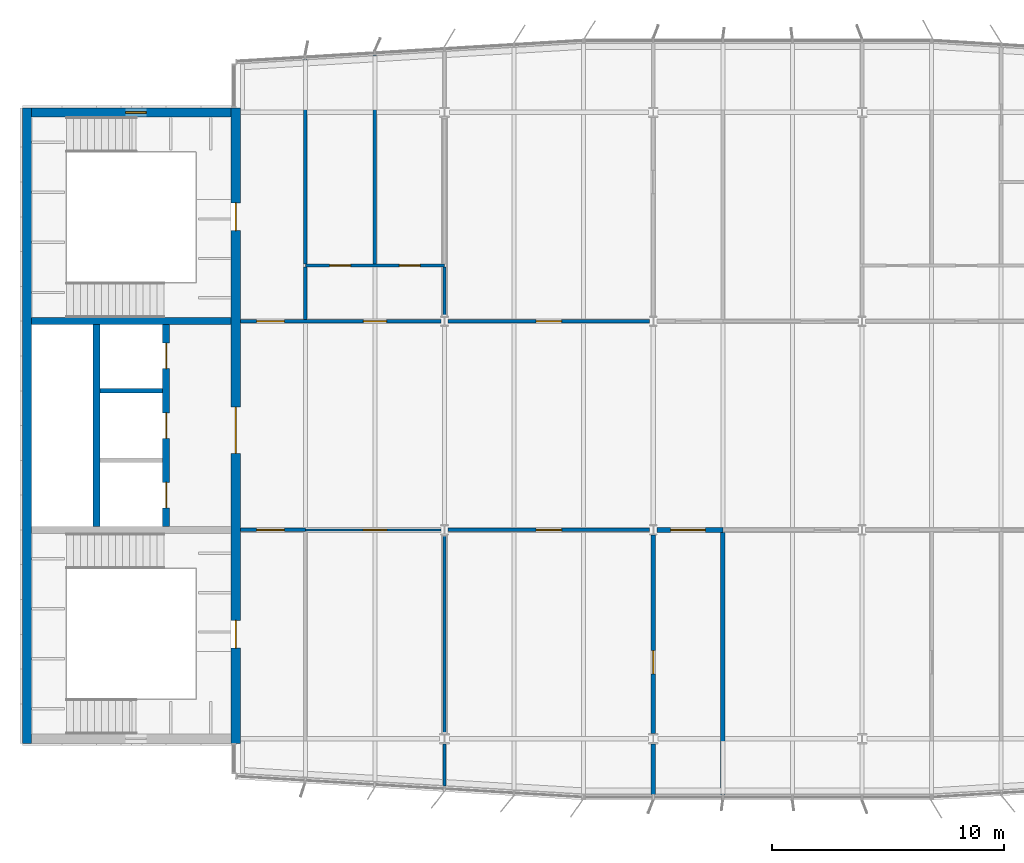
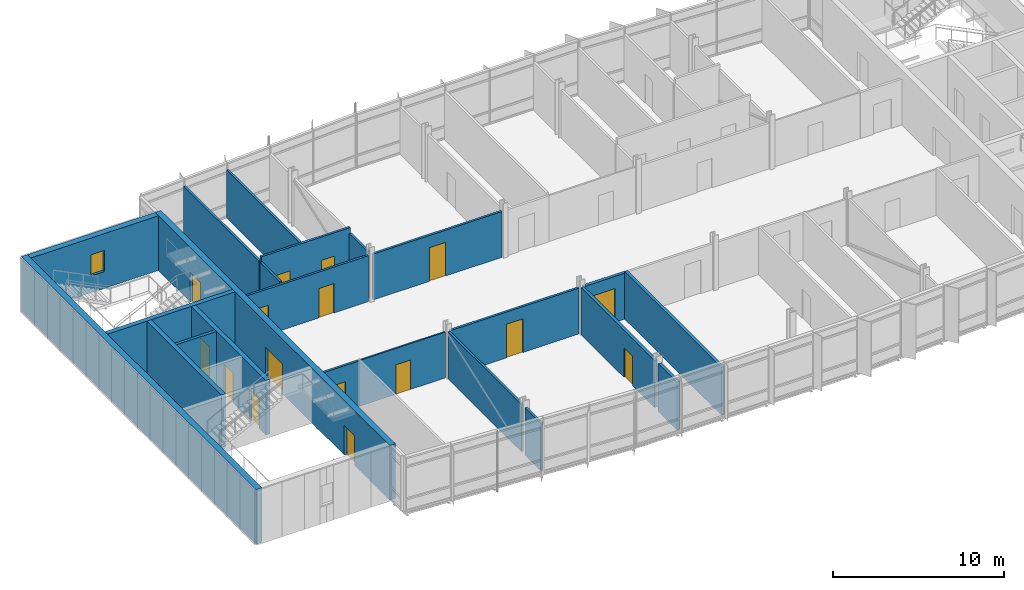
# One storey, part 12 of 18: 23 walls, 16 doors, 1 window, 17 openings.
"""IFC4 building model written with IfcOpenShell, lengths in metres."""

from ifc_helpers import new_model, si_unit, direction, frame, frame_2d, origin, place, context, subcontext, project, spatial, rectangle, extrude, material, layer, layer_set, type_object, element, fill, save


model = new_model("IFC4")

# Units and contexts
model_context = context("Model", 3, precision=1e-05, world=origin(), true_north=direction((0.0, 1.0)))
body_context = subcontext(model_context, "Body", "Model", "MODEL_VIEW")
ifc_project = project(units=[si_unit("LENGTHUNIT", "METRE"), si_unit("AREAUNIT", "SQUARE_METRE"), si_unit("VOLUMEUNIT", "CUBIC_METRE"), si_unit("PLANEANGLEUNIT", "RADIAN"), si_unit("MASSUNIT", "GRAM", prefix="KILO")], contexts=[model_context])

# Site, building, storey
site_placement = place(None, origin())
site = spatial("IfcSite", under=ifc_project, at=site_placement, CompositionType="ELEMENT")
building_placement = place(site_placement, origin())
building = spatial("IfcBuilding", under=site, at=building_placement, Name="Azimuth Sports and Learning Centre", CompositionType="ELEMENT")
storey_placement = place(building_placement, frame((0.0, 0.0, 63.60009765625)))
storey = spatial("IfcBuildingStorey", under=building, at=storey_placement, Name="L14", CompositionType="ELEMENT", Elevation=63.60009765625)

# Wall
ifc_material_1 = material(Name="Dense masonry blockwork", Category="masonry")
ifc_layer_1 = layer(ifc_material_1, 0.199951171875)
ifc_layer_set_1 = layer_set([ifc_layer_1], Name="Dense masonry blockwork")
wall_type_1 = type_object("IfcWallType", Name="Blockwork wall 200 EI 120", PredefinedType="SOLIDWALL", material=ifc_layer_set_1)
wall_1_placement = place(storey_placement, frame((57.14990234375, 105.0, 0.0), z_axis=(0.0, 0.0, 1.0), x_axis=(1.0, 0.0, 0.0)))
element("IfcWall", 1, at=wall_1_placement, inside=storey, type_object=wall_type_1, Name="SD-W-2-L14", PredefinedType="SOLIDWALL", context=body_context, shape_type="SweptSolid", body=[
    extrude(rectangle(XDim=2.7001953125, YDim=0.199951171875, at=frame_2d((1.35009765625, 0.0))), origin(), (0.0, 0.0, 1.0), 3.89990234375),
])

# Wall, opening, door
ifc_material_2 = material(Name="Gypsum board on steel studs", Category="steel")
ifc_layer_2 = layer(ifc_material_2, 0.10009765625)
ifc_layer_set_2 = layer_set([ifc_layer_2], Name="Gypsum board on steel studs")
wall_type_2 = type_object("IfcWallType", Name="Partition 100 EI 30", PredefinedType="PARTITIONING", material=ifc_layer_set_2)
wall_2_placement = place(storey_placement, frame((66.0, 99.0, 0.0), z_axis=(0.0, 0.0, 1.0), x_axis=(1.0, 0.0, 0.0)))
wall_2 = element("IfcWall", 2, at=wall_2_placement, inside=storey, type_object=wall_type_2, Name="Partition Classroom 14.07 / Learning Street", PredefinedType="PARTITIONING", context=body_context, shape_type="SweptSolid", body=[
    extrude(rectangle(XDim=5.846435546875, YDim=0.10009765625, at=frame_2d((2.92333984375, 0.0))), origin(), (0.0, 0.0, 1.0), 3.27001953125),
])
opening_1_placement = place(wall_2_placement, frame((2.5, 0.0, 0.0)))
opening_1 = element("IfcOpeningElement", 3, at=opening_1_placement, cuts=wall_2, Name="Opening D14-015", PredefinedType="OPENING", context=body_context, shape_type="SweptSolid", body=[
    extrude(rectangle(XDim=1.0, YDim=2.10009765625, at=frame_2d((0.5, 1.050048828125))), frame((0.0, 0.06103515625, 0.0), z_axis=(0.0, -1.0, 0.0), x_axis=(1.0, 0.0, 0.0)), (0.0, 0.0, 1.0), 0.1220703125),
])
ifc_material_3 = material(Name="Painted steel door set", Category="steel")
door_type_1 = type_object("IfcDoorType", Name="Fire door FD30S 1000 x 2100", OperationType="NOTDEFINED", PredefinedType="DOOR", material=ifc_material_3)
door_1_placement = place(opening_1_placement, frame((1.0, 0.0, 0.0), z_axis=(0.0, 0.0, 1.0), x_axis=(-1.0, 0.0, 0.0)))
door_1 = element("IfcDoor", 4, at=door_1_placement, inside=storey, type_object=door_type_1, Name="Door Classroom 14.07 / Learning Street", OperationType="SINGLE_SWING_LEFT", OverallHeight=2.10009765625, OverallWidth=1.0, PredefinedType="DOOR", context=body_context, shape_type="SweptSolid", body=[
    extrude(rectangle(XDim=1.0, YDim=2.10009765625, at=frame_2d((0.5, 1.050048828125))), frame((0.0, 0.02490234375, 0.0), z_axis=(0.0, -1.0, 0.0), x_axis=(1.0, 0.0, 0.0)), (0.0, 0.0, 1.0), 0.050048828125),
])
fill(opening_1, door_1)

ifc_material_4 = material(Name="Lightweight blockwork, rendered", Category="masonry")
ifc_layer_3 = layer(ifc_material_4, 0.14990234375)
ifc_layer_set_3 = layer_set([ifc_layer_3], Name="Lightweight blockwork, rendered")
wall_type_3 = type_object("IfcWallType", Name="Partition 150 EI 60", PredefinedType="PARTITIONING", material=ifc_layer_set_3)
wall_3_placement = place(storey_placement, frame((63.199951171875, 99.0, 0.0), z_axis=(0.0, 0.0, 1.0), x_axis=(1.0, 0.0, 0.0)))
wall_3 = element("IfcWall", 5, at=wall_3_placement, inside=storey, type_object=wall_type_3, Name="Partition Stair Lobby W1 14.01 / Learning Street", PredefinedType="PARTITIONING", context=body_context, shape_type="SweptSolid", body=[
    extrude(rectangle(XDim=2.800048828125, YDim=0.14990234375, at=frame_2d((1.39990234375, 0.0))), origin(), (0.0, 0.0, 1.0), 3.27001953125),
])
opening_2_placement = place(wall_3_placement, frame((0.699951171875, 0.0, 0.0)))
opening_2 = element("IfcOpeningElement", 6, at=opening_2_placement, cuts=wall_3, Name="Opening D14-011", PredefinedType="OPENING", context=body_context, shape_type="SweptSolid", body=[
    extrude(rectangle(XDim=1.199951171875, YDim=2.10009765625, at=frame_2d((0.60009765625, 1.050048828125))), frame((0.0, 0.0859375, 0.0), z_axis=(0.0, -1.0, 0.0), x_axis=(1.0, 0.0, 0.0)), (0.0, 0.0, 1.0), 0.171875),
])
ifc_material_5 = material(Name="Painted steel door set", Category="steel")
door_type_2 = type_object("IfcDoorType", Name="Fire door FD60 1200 x 2100", OperationType="NOTDEFINED", PredefinedType="DOOR", material=ifc_material_5)
door_2_placement = place(opening_2_placement, frame((1.199951171875, 0.0, 0.0), z_axis=(0.0, 0.0, 1.0), x_axis=(-1.0, 0.0, 0.0)))
door_2 = element("IfcDoor", 7, at=door_2_placement, inside=storey, type_object=door_type_2, Name="Door Stair Lobby W1 14.01 / Learning Street", OperationType="SINGLE_SWING_RIGHT", OverallHeight=2.10009765625, OverallWidth=1.199951171875, PredefinedType="DOOR", context=body_context, shape_type="SweptSolid", body=[
    extrude(rectangle(XDim=1.199951171875, YDim=2.10009765625, at=frame_2d((0.60009765625, 1.050048828125))), frame((0.0, 0.02490234375, 0.0), z_axis=(0.0, -1.0, 0.0), x_axis=(1.0, 0.0, 0.0)), (0.0, 0.0, 1.0), 0.050048828125),
])
fill(opening_2, door_2)

wall_4_placement = place(storey_placement, frame((72.153564453125, 99.0, 0.0), z_axis=(0.0, 0.0, 1.0), x_axis=(1.0, 0.0, 0.0)))
wall_4 = element("IfcWall", 8, at=wall_4_placement, inside=storey, type_object=wall_type_3, Name="Partition Chemistry Laboratory 14.08 / Learning Street", PredefinedType="PARTITIONING", context=body_context, shape_type="SweptSolid", body=[
    extrude(rectangle(XDim=8.69287109375, YDim=0.14990234375, at=frame_2d((4.346435546875, 0.0))), origin(), (0.0, 0.0, 1.0), 3.27001953125),
])
opening_3_placement = place(wall_4_placement, frame((3.79638671875, 0.0, 0.0)))
opening_3 = element("IfcOpeningElement", 9, at=opening_3_placement, cuts=wall_4, Name="Opening D14-016", PredefinedType="OPENING", context=body_context, shape_type="SweptSolid", body=[
    extrude(rectangle(XDim=1.10009765625, YDim=2.39990234375, at=frame_2d((0.550048828125, 1.199951171875))), frame((0.0, 0.0859375, 0.0), z_axis=(0.0, -1.0, 0.0), x_axis=(1.0, 0.0, 0.0)), (0.0, 0.0, 1.0), 0.171875),
])
ifc_material_6 = material(Name="Painted steel door set", Category="steel")
door_type_3 = type_object("IfcDoorType", Name="Fire door FD60 1100 x 2400", OperationType="NOTDEFINED", PredefinedType="DOOR", material=ifc_material_6)
door_3_placement = place(opening_3_placement, frame((1.10009765625, 0.0, 0.0), z_axis=(0.0, 0.0, 1.0), x_axis=(-1.0, 0.0, 0.0)))
door_3 = element("IfcDoor", 10, at=door_3_placement, inside=storey, type_object=door_type_3, Name="Door Chemistry Laboratory 14.08 / Learning Street", OperationType="SINGLE_SWING_RIGHT", OverallHeight=2.39990234375, OverallWidth=1.10009765625, PredefinedType="DOOR", context=body_context, shape_type="SweptSolid", body=[
    extrude(rectangle(XDim=1.10009765625, YDim=2.39990234375, at=frame_2d((0.550048828125, 1.199951171875))), frame((0.0, 0.02490234375, 0.0), z_axis=(0.0, -1.0, 0.0), x_axis=(1.0, 0.0, 0.0)), (0.0, 0.0, 1.0), 0.050048828125),
])
fill(opening_3, door_3)

# Wall, openings, doors
wall_5_placement = place(storey_placement, frame((63.199951171875, 108.0, 0.0), z_axis=(0.0, 0.0, 1.0), x_axis=(1.0, 0.0, 0.0)))
wall_5 = element("IfcWall", 11, at=wall_5_placement, inside=storey, type_object=wall_type_3, Name="Partition Stair Lobby W2 14.02 / WC Lobby 14.14", PredefinedType="PARTITIONING", context=body_context, shape_type="SweptSolid", body=[
    extrude(rectangle(XDim=8.646484375, YDim=0.14990234375, at=frame_2d((4.3232421875, 0.0))), origin(), (0.0, 0.0, 1.0), 3.27001953125),
])
opening_4_placement = place(wall_5_placement, frame((0.699951171875, 0.0, 0.0)))
opening_4 = element("IfcOpeningElement", 12, at=opening_4_placement, cuts=wall_5, Name="Opening D14-012", PredefinedType="OPENING", context=body_context, shape_type="SweptSolid", body=[
    extrude(rectangle(XDim=1.199951171875, YDim=2.10009765625, at=frame_2d((0.60009765625, 1.050048828125))), frame((0.0, 0.0859375, 0.0), z_axis=(0.0, -1.0, 0.0), x_axis=(1.0, 0.0, 0.0)), (0.0, 0.0, 1.0), 0.171875),
])
opening_5_placement = place(wall_5_placement, frame((5.300048828125, 0.0, 0.0)))
opening_5 = element("IfcOpeningElement", 13, at=opening_5_placement, cuts=wall_5, Name="Opening D14-022", PredefinedType="OPENING", context=body_context, shape_type="SweptSolid", body=[
    extrude(rectangle(XDim=1.0, YDim=2.10009765625, at=frame_2d((0.5, 1.050048828125))), frame((0.0, 0.0859375, 0.0), z_axis=(0.0, -1.0, 0.0), x_axis=(1.0, 0.0, 0.0)), (0.0, 0.0, 1.0), 0.171875),
])
ifc_material_7 = material(Name="Painted steel door set", Category="steel")
door_type_4 = type_object("IfcDoorType", Name="Fire door FD60 1000 x 2100", OperationType="NOTDEFINED", PredefinedType="DOOR", material=ifc_material_7)
door_4_placement = place(opening_5_placement, origin())
door_4 = element("IfcDoor", 14, at=door_4_placement, inside=storey, type_object=door_type_4, Name="Door WC Lobby 14.14 / Learning Street", OperationType="SINGLE_SWING_RIGHT", OverallHeight=2.10009765625, OverallWidth=1.0, PredefinedType="DOOR", context=body_context, shape_type="SweptSolid", body=[
    extrude(rectangle(XDim=1.0, YDim=2.10009765625, at=frame_2d((0.5, 1.050048828125))), frame((0.0, 0.02490234375, 0.0), z_axis=(0.0, -1.0, 0.0), x_axis=(1.0, 0.0, 0.0)), (0.0, 0.0, 1.0), 0.050048828125),
])
fill(opening_5, door_4)
door_5_placement = place(opening_4_placement, origin())
door_5 = element("IfcDoor", 15, at=door_5_placement, inside=storey, type_object=door_type_2, Name="Door Stair Lobby W2 14.02 / Learning Street", OperationType="SINGLE_SWING_LEFT", OverallHeight=2.10009765625, OverallWidth=1.199951171875, PredefinedType="DOOR", context=body_context, shape_type="SweptSolid", body=[
    extrude(rectangle(XDim=1.199951171875, YDim=2.10009765625, at=frame_2d((0.60009765625, 1.050048828125))), frame((0.0, 0.02490234375, 0.0), z_axis=(0.0, -1.0, 0.0), x_axis=(1.0, 0.0, 0.0)), (0.0, 0.0, 1.0), 0.050048828125),
])
fill(opening_4, door_5)

# Wall, opening, door
wall_6_placement = place(storey_placement, frame((72.153564453125, 108.0, 0.0), z_axis=(0.0, 0.0, 1.0), x_axis=(1.0, 0.0, 0.0)))
wall_6 = element("IfcWall", 16, at=wall_6_placement, inside=storey, type_object=wall_type_3, Name="Partition Stair Lobby W2 14.02 / WC Lobby 14.14", PredefinedType="PARTITIONING", context=body_context, shape_type="SweptSolid", body=[
    extrude(rectangle(XDim=8.69287109375, YDim=0.14990234375, at=frame_2d((4.346435546875, 0.0))), origin(), (0.0, 0.0, 1.0), 3.27001953125),
])
opening_6_placement = place(wall_6_placement, frame((3.79638671875, 0.0, 0.0)))
opening_6 = element("IfcOpeningElement", 17, at=opening_6_placement, cuts=wall_6, Name="Opening D14-023", PredefinedType="OPENING", context=body_context, shape_type="SweptSolid", body=[
    extrude(rectangle(XDim=1.10009765625, YDim=2.39990234375, at=frame_2d((0.550048828125, 1.199951171875))), frame((0.0, 0.0859375, 0.0), z_axis=(0.0, -1.0, 0.0), x_axis=(1.0, 0.0, 0.0)), (0.0, 0.0, 1.0), 0.171875),
])
door_6_placement = place(opening_6_placement, origin())
door_6 = element("IfcDoor", 18, at=door_6_placement, inside=storey, type_object=door_type_3, Name="Door Biology Laboratory 14.17 / Learning Street", OperationType="SINGLE_SWING_LEFT", OverallHeight=2.39990234375, OverallWidth=1.10009765625, PredefinedType="DOOR", context=body_context, shape_type="SweptSolid", body=[
    extrude(rectangle(XDim=1.10009765625, YDim=2.39990234375, at=frame_2d((0.550048828125, 1.199951171875))), frame((0.0, 0.02490234375, 0.0), z_axis=(0.0, -1.0, 0.0), x_axis=(1.0, 0.0, 0.0)), (0.0, 0.0, 1.0), 0.050048828125),
])
fill(opening_6, door_6)

# Wall, openings, doors
wall_7_placement = place(storey_placement, frame((66.0, 110.39990234375, 0.0), z_axis=(0.0, 0.0, 1.0), x_axis=(1.0, 0.0, 0.0)))
wall_7 = element("IfcWall", 19, at=wall_7_placement, inside=storey, type_object=wall_type_3, Name="Partition WC Lobby 14.14 / Men WC 14.15", PredefinedType="PARTITIONING", context=body_context, shape_type="SweptSolid", body=[
    extrude(rectangle(XDim=6.0, YDim=0.14990234375, at=frame_2d((3.0, 0.0))), origin(), (0.0, 0.0, 1.0), 3.77001953125),
])
opening_7_placement = place(wall_7_placement, frame((1.050048828125, 0.0, 0.0)))
opening_7 = element("IfcOpeningElement", 20, at=opening_7_placement, cuts=wall_7, Name="Opening D14-030", PredefinedType="OPENING", context=body_context, shape_type="SweptSolid", body=[
    extrude(rectangle(XDim=0.89990234375, YDim=2.10009765625, at=frame_2d((0.449951171875, 1.050048828125))), frame((0.0, 0.0859375, 0.0), z_axis=(0.0, -1.0, 0.0), x_axis=(1.0, 0.0, 0.0)), (0.0, 0.0, 1.0), 0.171875),
])
opening_8_placement = place(wall_7_placement, frame((4.050048828125, 0.0, 0.0)))
opening_8 = element("IfcOpeningElement", 21, at=opening_8_placement, cuts=wall_7, Name="Opening D14-031", PredefinedType="OPENING", context=body_context, shape_type="SweptSolid", body=[
    extrude(rectangle(XDim=0.89990234375, YDim=2.10009765625, at=frame_2d((0.449951171875, 1.050048828125))), frame((0.0, 0.0859375, 0.0), z_axis=(0.0, -1.0, 0.0), x_axis=(1.0, 0.0, 0.0)), (0.0, 0.0, 1.0), 0.171875),
])
ifc_material_8 = material(Name="Painted steel door set", Category="steel")
door_type_5 = type_object("IfcDoorType", Name="Fire door FD60 900 x 2100", OperationType="NOTDEFINED", PredefinedType="DOOR", material=ifc_material_8)
door_7_placement = place(opening_7_placement, frame((0.89990234375, 0.0, 0.0), z_axis=(0.0, 0.0, 1.0), x_axis=(-1.0, 0.0, 0.0)))
door_7 = element("IfcDoor", 22, at=door_7_placement, inside=storey, type_object=door_type_5, Name="Door WC Lobby 14.14 / Men WC 14.15", OperationType="SINGLE_SWING_RIGHT", OverallHeight=2.10009765625, OverallWidth=0.89990234375, PredefinedType="DOOR", context=body_context, shape_type="SweptSolid", body=[
    extrude(rectangle(XDim=0.89990234375, YDim=2.10009765625, at=frame_2d((0.449951171875, 1.050048828125))), frame((0.0, 0.02490234375, 0.0), z_axis=(0.0, -1.0, 0.0), x_axis=(1.0, 0.0, 0.0)), (0.0, 0.0, 1.0), 0.050048828125),
])
fill(opening_7, door_7)
door_8_placement = place(opening_8_placement, frame((0.89990234375, 0.0, 0.0), z_axis=(0.0, 0.0, 1.0), x_axis=(-1.0, 0.0, 0.0)))
door_8 = element("IfcDoor", 23, at=door_8_placement, inside=storey, type_object=door_type_5, Name="Door WC Lobby 14.14 / Women WC 14.16", OperationType="SINGLE_SWING_LEFT", OverallHeight=2.10009765625, OverallWidth=0.89990234375, PredefinedType="DOOR", context=body_context, shape_type="SweptSolid", body=[
    extrude(rectangle(XDim=0.89990234375, YDim=2.10009765625, at=frame_2d((0.449951171875, 1.050048828125))), frame((0.0, 0.02490234375, 0.0), z_axis=(0.0, -1.0, 0.0), x_axis=(1.0, 0.0, 0.0)), (0.0, 0.0, 1.0), 0.050048828125),
])
fill(opening_8, door_8)

# Walls
wall_8_placement = place(storey_placement, frame((66.0, 108.074951171875, 0.0), z_axis=(0.0, 0.0, 1.0), x_axis=(0.0, 1.0, 0.0)))
element("IfcWall", 24, at=wall_8_placement, inside=storey, type_object=wall_type_3, Name="Partition Stair Lobby W2 14.02 / WC Lobby 14.14", PredefinedType="PARTITIONING", context=body_context, shape_type="SweptSolid", body=[
    extrude(rectangle(XDim=2.25, YDim=0.14990234375, at=frame_2d((1.125, 0.0))), origin(), (0.0, 0.0, 1.0), 3.409912109375),
])
wall_9_placement = place(storey_placement, frame((66.0, 110.47509765625, 0.0), z_axis=(0.0, 0.0, 1.0), x_axis=(0.0, 1.0, 0.0)))
element("IfcWall", 25, at=wall_9_placement, inside=storey, type_object=wall_type_3, Name="Partition Stair Lobby W2 14.02 / WC Lobby 14.14", PredefinedType="PARTITIONING", context=body_context, shape_type="SweptSolid", body=[
    extrude(rectangle(XDim=8.804931640625, YDim=0.14990234375, at=frame_2d((4.40234375, 0.0))), origin(), (0.0, 0.0, 1.0), 3.409912109375),
])
wall_10_placement = place(storey_placement, frame((69.0, 110.47509765625, 0.0), z_axis=(0.0, 0.0, 1.0), x_axis=(0.0, 1.0, 0.0)))
element("IfcWall", 26, at=wall_10_placement, inside=storey, type_object=wall_type_3, Name="Partition Men WC 14.15 / Women WC 14.16", PredefinedType="PARTITIONING", context=body_context, shape_type="SweptSolid", body=[
    extrude(rectangle(XDim=8.98486328125, YDim=0.14990234375, at=frame_2d((4.492431640625, 0.0))), origin(), (0.0, 0.0, 1.0), 3.409912109375),
])
wall_11_placement = place(storey_placement, frame((72.0, 87.9599609375, 0.0), z_axis=(0.0, 0.0, 1.0), x_axis=(0.0, 1.0, 0.0)))
element("IfcWall", 27, at=wall_11_placement, inside=storey, type_object=wall_type_3, Name="Partition Classroom 14.07 / Chemistry Laboratory 14.08", PredefinedType="PARTITIONING", context=body_context, shape_type="SweptSolid", body=[
    extrude(rectangle(XDim=1.822509765625, YDim=0.14990234375, at=frame_2d((0.9111328125, 0.0))), origin(), (0.0, 0.0, 1.0), 3.409912109375),
])
wall_12_placement = place(storey_placement, frame((72.0, 90.217529296875, 0.0), z_axis=(0.0, 0.0, 1.0), x_axis=(0.0, 1.0, 0.0)))
element("IfcWall", 28, at=wall_12_placement, inside=storey, type_object=wall_type_3, Name="Partition Classroom 14.07 / Chemistry Laboratory 14.08", PredefinedType="PARTITIONING", context=body_context, shape_type="SweptSolid", body=[
    extrude(rectangle(XDim=8.56640625, YDim=0.14990234375, at=frame_2d((4.283203125, 0.0))), origin(), (0.0, 0.0, 1.0), 3.369873046875),
])
wall_13_placement = place(storey_placement, frame((72.0, 108.216064453125, 0.0), z_axis=(0.0, 0.0, 1.0), x_axis=(0.0, 1.0, 0.0)))
element("IfcWall", 29, at=wall_13_placement, inside=storey, type_object=wall_type_3, Name="Partition WC Lobby 14.14 / Women WC 14.16", PredefinedType="PARTITIONING", context=body_context, shape_type="SweptSolid", body=[
    extrude(rectangle(XDim=2.10888671875, YDim=0.14990234375, at=frame_2d((1.054443359375, 0.0))), origin(), (0.0, 0.0, 1.0), 3.369873046875),
])

# Wall, opening, door
ifc_material_9 = material(Name="Lightweight blockwork, rendered", Category="masonry")
ifc_layer_4 = layer(ifc_material_9, 0.199951171875)
ifc_layer_set_4 = layer_set([ifc_layer_4], Name="Lightweight blockwork, rendered")
wall_type_4 = type_object("IfcWallType", Name="Partition 200 EI 120", PredefinedType="PARTITIONING", material=ifc_layer_set_4)
wall_14_placement = place(storey_placement, frame((81.153564453125, 99.0, 0.0), z_axis=(0.0, 0.0, 1.0), x_axis=(1.0, 0.0, 0.0)))
wall_14 = element("IfcWall", 30, at=wall_14_placement, inside=storey, type_object=wall_type_4, Name="Partition Chemical Store 14.09 / Learning Street", PredefinedType="PARTITIONING", context=body_context, shape_type="SweptSolid", body=[
    extrude(rectangle(XDim=2.846435546875, YDim=0.199951171875, at=frame_2d((1.42333984375, 0.0))), origin(), (0.0, 0.0, 1.0), 3.27001953125),
])
opening_9_placement = place(wall_14_placement, frame((0.596435546875, 0.0, 0.0)))
opening_9 = element("IfcOpeningElement", 31, at=opening_9_placement, cuts=wall_14, Name="Opening D14-017", PredefinedType="OPENING", context=body_context, shape_type="SweptSolid", body=[
    extrude(rectangle(XDim=1.5, YDim=2.39990234375, at=frame_2d((0.75, 1.199951171875))), frame((0.0, 0.11083984375, 0.0), z_axis=(0.0, -1.0, 0.0), x_axis=(1.0, 0.0, 0.0)), (0.0, 0.0, 1.0), 0.221923828125),
])
ifc_material_10 = material(Name="Painted steel door set", Category="steel")
door_type_6 = type_object("IfcDoorType", Name="Fire door FD120 1500 x 2400 double leaf", OperationType="DOUBLE_DOOR_SINGLE_SWING", PredefinedType="DOOR", material=ifc_material_10)
door_9_placement = place(opening_9_placement, origin())
door_9 = element("IfcDoor", 32, at=door_9_placement, inside=storey, type_object=door_type_6, Name="Door Chemical Store 14.09 / Learning Street", OperationType="DOUBLE_DOOR_SINGLE_SWING", OverallHeight=2.39990234375, OverallWidth=1.5, PredefinedType="DOOR", context=body_context, shape_type="SweptSolid", body=[
    extrude(rectangle(XDim=1.5, YDim=2.39990234375, at=frame_2d((0.75, 1.199951171875))), frame((0.0, 0.02490234375, 0.0), z_axis=(0.0, -1.0, 0.0), x_axis=(1.0, 0.0, 0.0)), (0.0, 0.0, 1.0), 0.050048828125),
])
fill(opening_9, door_9)

# Wall
wall_15_placement = place(storey_placement, frame((81.0, 87.60009765625, 0.0), z_axis=(0.0, 0.0, 1.0), x_axis=(0.0, 1.0, 0.0)))
element("IfcWall", 33, at=wall_15_placement, inside=storey, type_object=wall_type_4, Name="Partition Chemistry Laboratory 14.08 / Chemical Store 14.09", PredefinedType="PARTITIONING", context=body_context, shape_type="SweptSolid", body=[
    extrude(rectangle(XDim=2.182373046875, YDim=0.199951171875, at=frame_2d((1.09130859375, 0.0))), origin(), (0.0, 0.0, 1.0), 3.409912109375),
])

# Wall, opening, door
wall_16_placement = place(storey_placement, frame((81.0, 90.217529296875, 0.0), z_axis=(0.0, 0.0, 1.0), x_axis=(0.0, 1.0, 0.0)))
wall_16 = element("IfcWall", 34, at=wall_16_placement, inside=storey, type_object=wall_type_4, Name="Partition Chemistry Laboratory 14.08 / Chemical Store 14.09", PredefinedType="PARTITIONING", context=body_context, shape_type="SweptSolid", body=[
    extrude(rectangle(XDim=8.56640625, YDim=0.199951171875, at=frame_2d((4.283203125, 0.0))), origin(), (0.0, 0.0, 1.0), 3.369873046875),
])
opening_10_placement = place(wall_16_placement, frame((2.58251953125, 0.0, 0.0)))
opening_10 = element("IfcOpeningElement", 35, at=opening_10_placement, cuts=wall_16, Name="Opening D14-028", PredefinedType="OPENING", context=body_context, shape_type="SweptSolid", body=[
    extrude(rectangle(XDim=1.0, YDim=2.10009765625, at=frame_2d((0.5, 1.050048828125))), frame((0.0, 0.11083984375, 0.0), z_axis=(0.0, -1.0, 0.0), x_axis=(1.0, 0.0, 0.0)), (0.0, 0.0, 1.0), 0.221923828125),
])
ifc_material_11 = material(Name="Painted steel door set", Category="steel")
door_type_7 = type_object("IfcDoorType", Name="Fire door FD120 1000 x 2100", OperationType="NOTDEFINED", PredefinedType="DOOR", material=ifc_material_11)
door_10_placement = place(opening_10_placement, origin())
door_10 = element("IfcDoor", 36, at=door_10_placement, inside=storey, type_object=door_type_7, Name="Door Chemistry Laboratory 14.08 / Chemical Store 14.09", OperationType="SINGLE_SWING_LEFT", OverallHeight=2.10009765625, OverallWidth=1.0, PredefinedType="DOOR", context=body_context, shape_type="SweptSolid", body=[
    extrude(rectangle(XDim=1.0, YDim=2.10009765625, at=frame_2d((0.5, 1.050048828125))), frame((0.0, 0.02490234375, 0.0), z_axis=(0.0, -1.0, 0.0), x_axis=(1.0, 0.0, 0.0)), (0.0, 0.0, 1.0), 0.050048828125),
])
fill(opening_10, door_10)

# Walls
wall_17_placement = place(storey_placement, frame((84.0, 87.60009765625, 0.0), z_axis=(0.0, 0.0, 1.0), x_axis=(0.0, 1.0, 0.0)))
element("IfcWall", 37, at=wall_17_placement, inside=storey, type_object=wall_type_4, Name="Partition Chemical Store 14.09 / Physics Laboratory 14.10", PredefinedType="PARTITIONING", context=body_context, shape_type="SweptSolid", body=[
    extrude(rectangle(XDim=11.2998046875, YDim=0.199951171875, at=frame_2d((5.64990234375, 0.0))), origin(), (0.0, 0.0, 1.0), 3.409912109375),
])
ifc_material_12 = material(Name="Concrete C40/50", Category="concrete")
ifc_layer_5 = layer(ifc_material_12, 0.300048828125)
ifc_layer_set_5 = layer_set([ifc_layer_5], Name="Concrete C40/50")
wall_type_5 = type_object("IfcWallType", Name="RC core wall 300", PredefinedType="SHEAR", material=ifc_layer_set_5)
wall_18_placement = place(storey_placement, frame((54.199951171875, 108.0, 0.0), z_axis=(0.0, 0.0, 1.0), x_axis=(1.0, 0.0, 0.0)))
element("IfcWall", 38, at=wall_18_placement, inside=storey, type_object=wall_type_5, Name="Core wall W D2 L14", PredefinedType="SHEAR", context=body_context, shape_type="SweptSolid", body=[
    extrude(rectangle(XDim=8.60009765625, YDim=0.300048828125, at=frame_2d((4.300048828125, 0.0))), origin(), (0.0, 0.0, 1.0), 3.89990234375),
])
wall_19_placement = place(storey_placement, frame((57.0, 99.14990234375, 0.0), z_axis=(0.0, 0.0, 1.0), x_axis=(0.0, 1.0, 0.0)))
element("IfcWall", 39, at=wall_19_placement, inside=storey, type_object=wall_type_5, Name="Core wall W LB1 L14", PredefinedType="SHEAR", context=body_context, shape_type="SweptSolid", body=[
    extrude(rectangle(XDim=8.7001953125, YDim=0.300048828125, at=frame_2d((4.35009765625, 0.0))), origin(), (0.0, 0.0, 1.0), 3.89990234375),
])

# Wall, openings, doors
wall_20_placement = place(storey_placement, frame((60.0, 99.14990234375, 0.0), z_axis=(0.0, 0.0, 1.0), x_axis=(0.0, 1.0, 0.0)))
wall_20 = element("IfcWall", 40, at=wall_20_placement, inside=storey, type_object=wall_type_5, Name="Core wall W LB2 L14", PredefinedType="SHEAR", context=body_context, shape_type="SweptSolid", body=[
    extrude(rectangle(XDim=8.7001953125, YDim=0.300048828125, at=frame_2d((4.35009765625, 0.0))), origin(), (0.0, 0.0, 1.0), 3.89990234375),
])
opening_11_placement = place(wall_20_placement, frame((0.800048828125, 0.0, 0.0)))
opening_11 = element("IfcOpeningElement", 41, at=opening_11_placement, cuts=wall_20, Name="Opening D14-005", PredefinedType="OPENING", context=body_context, shape_type="SweptSolid", body=[
    extrude(rectangle(XDim=1.10009765625, YDim=2.10009765625, at=frame_2d((0.550048828125, 1.050048828125))), frame((0.0, 0.1611328125, 0.0), z_axis=(0.0, -1.0, 0.0), x_axis=(1.0, 0.0, 0.0)), (0.0, 0.0, 1.0), 0.322021484375),
])
opening_12_placement = place(wall_20_placement, frame((3.800048828125, 0.0, 0.0)))
opening_12 = element("IfcOpeningElement", 42, at=opening_12_placement, cuts=wall_20, Name="Opening D14-006", PredefinedType="OPENING", context=body_context, shape_type="SweptSolid", body=[
    extrude(rectangle(XDim=1.10009765625, YDim=2.10009765625, at=frame_2d((0.550048828125, 1.050048828125))), frame((0.0, 0.1611328125, 0.0), z_axis=(0.0, -1.0, 0.0), x_axis=(1.0, 0.0, 0.0)), (0.0, 0.0, 1.0), 0.322021484375),
])
opening_13_placement = place(wall_20_placement, frame((6.800048828125, 0.0, 0.0)))
opening_13 = element("IfcOpeningElement", 43, at=opening_13_placement, cuts=wall_20, Name="Opening D14-007", PredefinedType="OPENING", context=body_context, shape_type="SweptSolid", body=[
    extrude(rectangle(XDim=1.10009765625, YDim=2.10009765625, at=frame_2d((0.550048828125, 1.050048828125))), frame((0.0, 0.1611328125, 0.0), z_axis=(0.0, -1.0, 0.0), x_axis=(1.0, 0.0, 0.0)), (0.0, 0.0, 1.0), 0.322021484375),
])
ifc_material_13 = material(Name="Stainless steel", Category="steel")
door_type_8 = type_object("IfcDoorType", Name="Lift landing door 1100 x 2100", OperationType="DOUBLE_DOOR_SLIDING", PredefinedType="DOOR", material=ifc_material_13)
door_11_placement = place(opening_11_placement, origin())
door_11 = element("IfcDoor", 44, at=door_11_placement, inside=storey, type_object=door_type_8, Name="Landing door LW1 L14", OperationType="DOUBLE_DOOR_SLIDING", OverallHeight=2.10009765625, OverallWidth=1.10009765625, PredefinedType="DOOR", context=body_context, shape_type="SweptSolid", body=[
    extrude(rectangle(XDim=1.10009765625, YDim=2.10009765625, at=frame_2d((0.550048828125, 1.050048828125))), frame((0.0, 0.02490234375, 0.0), z_axis=(0.0, -1.0, 0.0), x_axis=(1.0, 0.0, 0.0)), (0.0, 0.0, 1.0), 0.050048828125),
])
fill(opening_11, door_11)
door_12_placement = place(opening_12_placement, origin())
door_12 = element("IfcDoor", 45, at=door_12_placement, inside=storey, type_object=door_type_8, Name="Landing door LW2 L14", OperationType="DOUBLE_DOOR_SLIDING", OverallHeight=2.10009765625, OverallWidth=1.10009765625, PredefinedType="DOOR", context=body_context, shape_type="SweptSolid", body=[
    extrude(rectangle(XDim=1.10009765625, YDim=2.10009765625, at=frame_2d((0.550048828125, 1.050048828125))), frame((0.0, 0.02490234375, 0.0), z_axis=(0.0, -1.0, 0.0), x_axis=(1.0, 0.0, 0.0)), (0.0, 0.0, 1.0), 0.050048828125),
])
fill(opening_12, door_12)
door_13_placement = place(opening_13_placement, origin())
door_13 = element("IfcDoor", 46, at=door_13_placement, inside=storey, type_object=door_type_8, Name="Landing door LW3 L14", OperationType="DOUBLE_DOOR_SLIDING", OverallHeight=2.10009765625, OverallWidth=1.10009765625, PredefinedType="DOOR", context=body_context, shape_type="SweptSolid", body=[
    extrude(rectangle(XDim=1.10009765625, YDim=2.10009765625, at=frame_2d((0.550048828125, 1.050048828125))), frame((0.0, 0.02490234375, 0.0), z_axis=(0.0, -1.0, 0.0), x_axis=(1.0, 0.0, 0.0)), (0.0, 0.0, 1.0), 0.050048828125),
])
fill(opening_13, door_13)

ifc_material_14 = material(Name="Concrete C40/50", Category="concrete")
ifc_layer_6 = layer(ifc_material_14, 0.39990234375)
ifc_layer_set_6 = layer_set([ifc_layer_6], Name="Concrete C40/50")
wall_type_6 = type_object("IfcWallType", Name="RC core wall 400", PredefinedType="SHEAR", material=ifc_layer_set_6)
wall_21_placement = place(storey_placement, frame((63.0, 89.800048828125, 0.0), z_axis=(0.0, 0.0, 1.0), x_axis=(0.0, 1.0, 0.0)))
wall_21 = element("IfcWall", 47, at=wall_21_placement, inside=storey, type_object=wall_type_6, Name="Core wall W E L14", PredefinedType="SHEAR", context=body_context, shape_type="SweptSolid", body=[
    extrude(rectangle(XDim=27.39990234375, YDim=0.39990234375, at=frame_2d((13.699951171875, 0.0))), origin(), (0.0, 0.0, 1.0), 3.89990234375),
])
opening_14_placement = place(wall_21_placement, frame((4.10009765625, 0.0, 0.0)))
opening_14 = element("IfcOpeningElement", 48, at=opening_14_placement, cuts=wall_21, Name="Opening D14-001", PredefinedType="OPENING", context=body_context, shape_type="SweptSolid", body=[
    extrude(rectangle(XDim=1.199951171875, YDim=2.10009765625, at=frame_2d((0.60009765625, 1.050048828125))), frame((0.0, 0.2109375, 0.0), z_axis=(0.0, -1.0, 0.0), x_axis=(1.0, 0.0, 0.0)), (0.0, 0.0, 1.0), 0.421875),
])
opening_15_placement = place(wall_21_placement, frame((22.10009765625, 0.0, 0.0)))
opening_15 = element("IfcOpeningElement", 49, at=opening_15_placement, cuts=wall_21, Name="Opening D14-002", PredefinedType="OPENING", context=body_context, shape_type="SweptSolid", body=[
    extrude(rectangle(XDim=1.199951171875, YDim=2.10009765625, at=frame_2d((0.60009765625, 1.050048828125))), frame((0.0, 0.2109375, 0.0), z_axis=(0.0, -1.0, 0.0), x_axis=(1.0, 0.0, 0.0)), (0.0, 0.0, 1.0), 0.421875),
])
opening_16_placement = place(wall_21_placement, frame((12.5, 0.0, 0.0)))
opening_16 = element("IfcOpeningElement", 50, at=opening_16_placement, cuts=wall_21, Name="Opening D14-037", PredefinedType="OPENING", context=body_context, shape_type="SweptSolid", body=[
    extrude(rectangle(XDim=2.0, YDim=2.10009765625, at=frame_2d((1.0, 1.050048828125))), frame((0.0, 0.2109375, 0.0), z_axis=(0.0, -1.0, 0.0), x_axis=(1.0, 0.0, 0.0)), (0.0, 0.0, 1.0), 0.421875),
])
ifc_material_15 = material(Name="Painted steel door set", Category="steel")
door_type_9 = type_object("IfcDoorType", Name="Fire door FD120 2000 x 2100 double leaf", OperationType="DOUBLE_DOOR_SINGLE_SWING", PredefinedType="DOOR", material=ifc_material_15)
door_14_placement = place(opening_16_placement, origin())
door_14 = element("IfcDoor", 51, at=door_14_placement, inside=storey, type_object=door_type_9, Name="Door Lift Lobby W 14.05 / Learning Street", OperationType="DOUBLE_DOOR_SINGLE_SWING", OverallHeight=2.10009765625, OverallWidth=2.0, PredefinedType="DOOR", context=body_context, shape_type="SweptSolid", body=[
    extrude(rectangle(XDim=2.0, YDim=2.10009765625, at=frame_2d((1.0, 1.050048828125))), frame((0.0, 0.02490234375, 0.0), z_axis=(0.0, -1.0, 0.0), x_axis=(1.0, 0.0, 0.0)), (0.0, 0.0, 1.0), 0.050048828125),
])
fill(opening_16, door_14)
ifc_material_16 = material(Name="Steel", Category="steel")
door_type_10 = type_object("IfcDoorType", Name="Stair fire door 1200 x 2100", OperationType="NOTDEFINED", PredefinedType="DOOR", material=ifc_material_16)
door_15_placement = place(opening_14_placement, origin())
door_15 = element("IfcDoor", 52, at=door_15_placement, inside=storey, type_object=door_type_10, Name="Stair door W1 L14", OperationType="SINGLE_SWING_LEFT", OverallHeight=2.10009765625, OverallWidth=1.199951171875, PredefinedType="DOOR", context=body_context, shape_type="SweptSolid", body=[
    extrude(rectangle(XDim=1.199951171875, YDim=2.10009765625, at=frame_2d((0.60009765625, 1.050048828125))), frame((0.0, 0.02490234375, 0.0), z_axis=(0.0, -1.0, 0.0), x_axis=(1.0, 0.0, 0.0)), (0.0, 0.0, 1.0), 0.050048828125),
])
fill(opening_14, door_15)
door_16_placement = place(opening_15_placement, origin())
door_16 = element("IfcDoor", 53, at=door_16_placement, inside=storey, type_object=door_type_10, Name="Stair door W2 L14", OperationType="SINGLE_SWING_LEFT", OverallHeight=2.10009765625, OverallWidth=1.199951171875, PredefinedType="DOOR", context=body_context, shape_type="SweptSolid", body=[
    extrude(rectangle(XDim=1.199951171875, YDim=2.10009765625, at=frame_2d((0.60009765625, 1.050048828125))), frame((0.0, 0.02490234375, 0.0), z_axis=(0.0, -1.0, 0.0), x_axis=(1.0, 0.0, 0.0)), (0.0, 0.0, 1.0), 0.050048828125),
])
fill(opening_15, door_16)

# Wall, opening, window
ifc_material_17 = material(Name="Concrete C40/50", Category="concrete")
ifc_layer_7 = layer(ifc_material_17, 0.39990234375)
ifc_layer_set_7 = layer_set([ifc_layer_7], Name="Concrete C40/50")
wall_type_7 = type_object("IfcWallType", Name="RC external core wall 400", PredefinedType="SHEAR", material=ifc_layer_set_7)
wall_22_placement = place(storey_placement, frame((54.199951171875, 117.0, 0.0), z_axis=(0.0, 0.0, 1.0), x_axis=(1.0, 0.0, 0.0)))
wall_22 = element("IfcWall", 54, at=wall_22_placement, inside=storey, type_object=wall_type_7, Name="Core wall W N L14", PredefinedType="SHEAR", context=body_context, shape_type="SweptSolid", body=[
    extrude(rectangle(XDim=8.60009765625, YDim=0.39990234375, at=frame_2d((4.300048828125, 0.0))), origin(), (0.0, 0.0, 1.0), 3.89990234375),
])
opening_17_placement = place(wall_22_placement, frame((4.050048828125, 0.0, 1.199951171875)))
opening_17 = element("IfcOpeningElement", 55, at=opening_17_placement, cuts=wall_22, Name="Opening W14-004", PredefinedType="OPENING", context=body_context, shape_type="SweptSolid", body=[
    extrude(rectangle(XDim=0.89990234375, YDim=1.5, at=frame_2d((0.449951171875, 0.75))), frame((0.0, 0.2109375, 0.0), z_axis=(0.0, -1.0, 0.0), x_axis=(1.0, 0.0, 0.0)), (0.0, 0.0, 1.0), 0.421875),
])
ifc_material_18 = material(Name="Aluminium and glass", Category="aluminium")
window_type = type_object("IfcWindowType", Name="Stair window tower core 900x1500", PartitioningType="SINGLE_PANEL", PredefinedType="WINDOW", material=ifc_material_18)
window_placement = place(opening_17_placement, origin())
window = element("IfcWindow", 56, at=window_placement, inside=storey, type_object=window_type, Name="Window W14-004", OverallHeight=1.5, OverallWidth=0.89990234375, PartitioningType="SINGLE_PANEL", PredefinedType="WINDOW", context=body_context, shape_type="SweptSolid", body=[
    extrude(rectangle(XDim=0.89990234375, YDim=1.5, at=frame_2d((0.449951171875, 0.75))), frame((0.0, 0.030029296875, 0.0), z_axis=(0.0, -1.0, 0.0), x_axis=(1.0, 0.0, 0.0)), (0.0, 0.0, 1.0), 0.06005859375),
])
fill(opening_17, window)

# Wall
wall_23_placement = place(storey_placement, frame((54.0, 89.800048828125, 0.0), z_axis=(0.0, 0.0, 1.0), x_axis=(0.0, 1.0, 0.0)))
element("IfcWall", 57, at=wall_23_placement, inside=storey, type_object=wall_type_7, Name="Core wall W W L14", PredefinedType="SHEAR", context=body_context, shape_type="SweptSolid", body=[
    extrude(rectangle(XDim=27.39990234375, YDim=0.39990234375, at=frame_2d((13.699951171875, 0.0))), origin(), (0.0, 0.0, 1.0), 3.89990234375),
])

save(model, "model.ifc")
